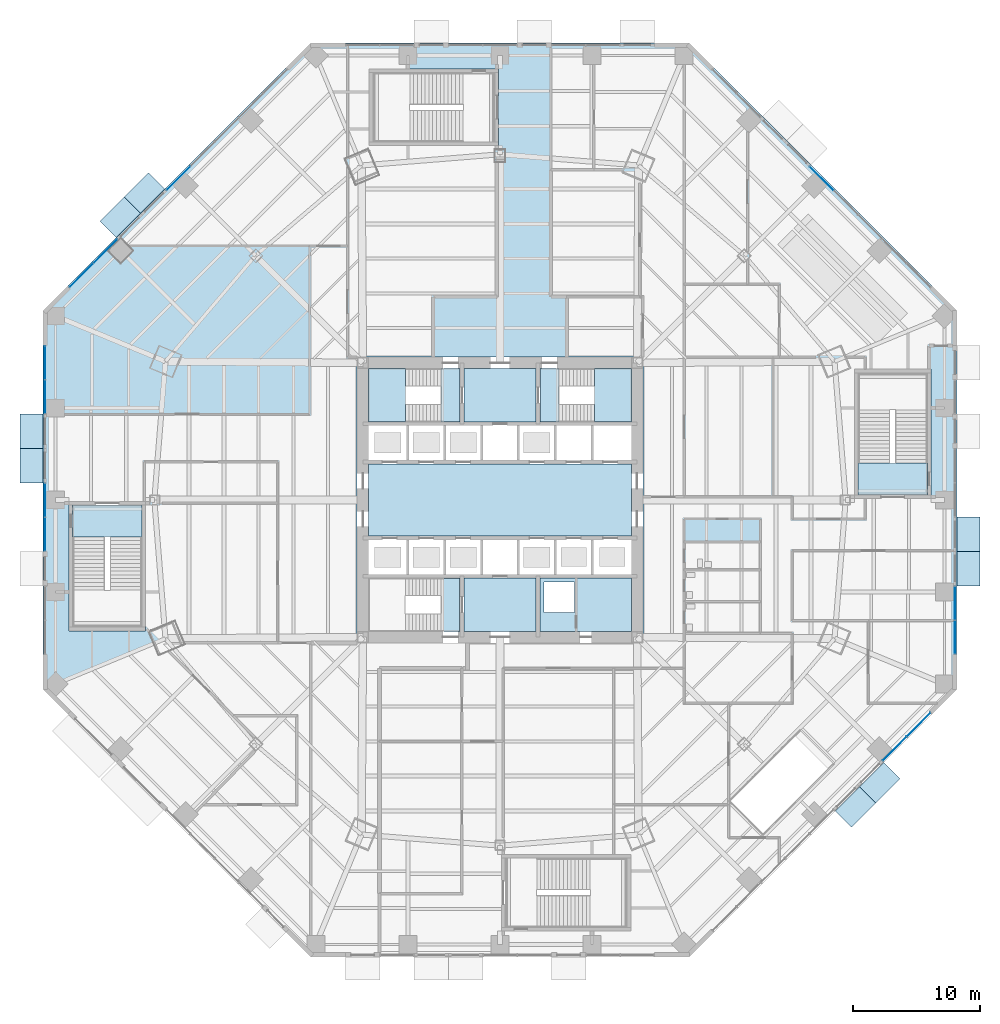
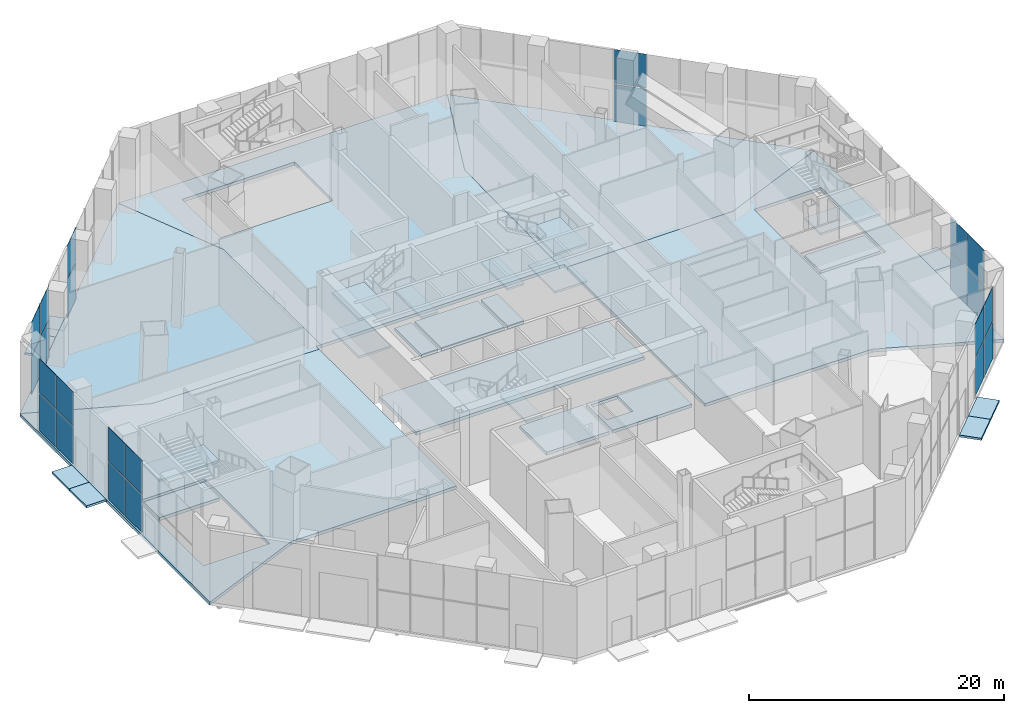
# One storey, part 17 of 35: 30 slabs, 24 plates, 12 elements without a shape of their own.
"""IFC4 building model written with IfcOpenShell, lengths in metres."""

from ifc_helpers import new_model, si_unit, direction, frame, origin, origin_2d, place, context, subcontext, project, spatial, polyline, rectangle, outline, extrude, source, transform, mapped, material, layer, layer_set, type_object, type_shapes, element, aggregate, save


model = new_model("IFC4")

# Units and contexts
model_context = context("Model", 3, precision=1e-05, world=origin(), true_north=direction((0.0, 1.0)))
body_context = subcontext(model_context, "Body", "Model", "MODEL_VIEW")
ifc_project = project(units=[si_unit("LENGTHUNIT", "METRE"), si_unit("AREAUNIT", "SQUARE_METRE"), si_unit("VOLUMEUNIT", "CUBIC_METRE"), si_unit("PLANEANGLEUNIT", "RADIAN"), si_unit("MASSUNIT", "GRAM", prefix="KILO")], contexts=[model_context])

# Site, building, storey
site_placement = place(None, origin())
site = spatial("IfcSite", under=ifc_project, at=site_placement, CompositionType="ELEMENT")
building_placement = place(site_placement, origin())
building = spatial("IfcBuilding", under=site, at=building_placement, Name="Mashrafa Tower", CompositionType="ELEMENT")
storey_placement = place(building_placement, origin())
storey = spatial("IfcBuildingStorey", under=building, at=storey_placement, Name="L00", CompositionType="ELEMENT", Elevation=0.0)

# Slabs
ifc_material_1 = material(Name="Concrete C35/45", Category="concrete")
ifc_layer_1 = layer(ifc_material_1, 0.169921875)
ifc_material_2 = material(Name="Limestone paving", Category="masonry")
ifc_layer_2 = layer(ifc_material_2, 0.030029296875)
ifc_layer_set_1 = layer_set([ifc_layer_1, ifc_layer_2], Name="Exterior entrance landing 200")
slab_type_1 = type_object("IfcSlabType", Name="Exterior entrance landing 200", PredefinedType="LANDING", material=ifc_layer_set_1)
slab_1_placement = place(storey_placement, frame((0.0, 0.0, -0.199951171875)))
element("IfcSlab", 1, at=slab_1_placement, inside=storey, type_object=slab_type_1, Name="Exterior landing Transit hall entrance east", PredefinedType="LANDING", context=body_context, shape_type="SweptSolid", body=[
    extrude(outline(polyline([(37.800048828125, -6.75927734375), (37.800048828125, -4.055419921875), (36.0, -4.055419921875), (36.0, -6.75927734375), (37.800048828125, -6.75927734375)])), origin(), (0.0, 0.0, 1.0), 0.199951171875),
])
slab_2_placement = place(storey_placement, frame((0.0, 0.0, -0.199951171875)))
element("IfcSlab", 2, at=slab_2_placement, inside=storey, type_object=slab_type_1, Name="Exterior landing Transit hall entrance east", PredefinedType="LANDING", context=body_context, shape_type="SweptSolid", body=[
    extrude(outline(polyline([(37.800048828125, -4.055419921875), (37.800048828125, -1.351806640625), (36.0, -1.351806640625), (36.0, -4.055419921875), (37.800048828125, -4.055419921875)])), origin(), (0.0, 0.0, 1.0), 0.199951171875),
])
slab_3_placement = place(storey_placement, frame((0.0, 0.0, -0.199951171875)))
element("IfcSlab", 3, at=slab_3_placement, inside=storey, type_object=slab_type_1, Name="Exterior landing Retail entrance north-west", PredefinedType="LANDING", context=body_context, shape_type="SweptSolid", body=[
    extrude(outline(polyline([(-27.6845703125, 25.772705078125), (-29.596435546875, 23.86083984375), (-28.323486328125, 22.588134765625), (-26.41162109375, 24.5), (-27.6845703125, 25.772705078125)])), origin(), (0.0, 0.0, 1.0), 0.199951171875),
])
slab_4_placement = place(storey_placement, frame((0.0, 0.0, -0.199951171875)))
element("IfcSlab", 4, at=slab_4_placement, inside=storey, type_object=slab_type_1, Name="Exterior landing Retail entrance north-west", PredefinedType="LANDING", context=body_context, shape_type="SweptSolid", body=[
    extrude(outline(polyline([(-29.596435546875, 23.86083984375), (-31.508056640625, 21.94921875), (-30.2353515625, 20.67626953125), (-28.323486328125, 22.588134765625), (-29.596435546875, 23.86083984375)])), origin(), (0.0, 0.0, 1.0), 0.199951171875),
])
slab_5_placement = place(storey_placement, frame((0.0, 0.0, -0.199951171875)))
element("IfcSlab", 5, at=slab_5_placement, inside=storey, type_object=slab_type_1, Name="Exterior landing Observation entrance west", PredefinedType="LANDING", context=body_context, shape_type="SweptSolid", body=[
    extrude(outline(polyline([(-37.800048828125, 6.75927734375), (-37.800048828125, 4.055419921875), (-36.0, 4.055419921875), (-36.0, 6.75927734375), (-37.800048828125, 6.75927734375)])), origin(), (0.0, 0.0, 1.0), 0.199951171875),
])
slab_6_placement = place(storey_placement, frame((0.0, 0.0, -0.199951171875)))
element("IfcSlab", 6, at=slab_6_placement, inside=storey, type_object=slab_type_1, Name="Exterior landing Observation entrance west", PredefinedType="LANDING", context=body_context, shape_type="SweptSolid", body=[
    extrude(outline(polyline([(-37.800048828125, 4.055419921875), (-37.800048828125, 1.351806640625), (-36.0, 1.351806640625), (-36.0, 4.055419921875), (-37.800048828125, 4.055419921875)])), origin(), (0.0, 0.0, 1.0), 0.199951171875),
])
slab_7_placement = place(storey_placement, frame((0.0, 0.0, -0.199951171875)))
element("IfcSlab", 7, at=slab_7_placement, inside=storey, type_object=slab_type_1, Name="Exterior landing Transit hall entrance south-east", PredefinedType="LANDING", context=body_context, shape_type="SweptSolid", body=[
    extrude(outline(polyline([(27.6845703125, -25.772705078125), (29.596435546875, -23.86083984375), (28.323486328125, -22.588134765625), (26.41162109375, -24.5), (27.6845703125, -25.772705078125)])), origin(), (0.0, 0.0, 1.0), 0.199951171875),
])
slab_8_placement = place(storey_placement, frame((0.0, 0.0, -0.199951171875)))
element("IfcSlab", 8, at=slab_8_placement, inside=storey, type_object=slab_type_1, Name="Exterior landing Transit hall entrance south-east", PredefinedType="LANDING", context=body_context, shape_type="SweptSolid", body=[
    extrude(outline(polyline([(29.596435546875, -23.86083984375), (31.508056640625, -21.94921875), (30.2353515625, -20.67626953125), (28.323486328125, -22.588134765625), (29.596435546875, -23.86083984375)])), origin(), (0.0, 0.0, 1.0), 0.199951171875),
])
ifc_material_3 = material(Name="Concrete C35/45", Category="concrete")
ifc_layer_3 = layer(ifc_material_3, 0.300048828125)
ifc_layer_set_2 = layer_set([ifc_layer_3], Name="Floor slab 300")
slab_type_2 = type_object("IfcSlabType", Name="Floor slab 300", PredefinedType="FLOOR", material=ifc_layer_set_2)
slab_9_placement = place(storey_placement, frame((0.0, 0.0, -0.300048828125)))
element("IfcSlab", 9, at=slab_9_placement, inside=storey, type_object=slab_type_2, Name="Floor slab L00 east bay", PredefinedType="FLOOR", context=body_context, shape_type="SweptSolid", body=[
    extrude(outline(polyline([(36.0, 14.91162109375), (36.0, -14.91162109375), (36.0, -14.91162109375), (35.0, -14.49755859375), (26.344970703125, -10.91259765625), (11.25, -10.80322265625), (11.25, 10.80322265625), (26.344970703125, 10.91259765625), (35.0, 14.49755859375), (36.0, 14.91162109375), (36.0, 14.91162109375)]), holes=[polyline([(33.949951171875, 0.10009765625), (33.949951171875, 10.300048828125), (27.89990234375, 10.300048828125), (27.89990234375, 0.10009765625), (33.949951171875, 0.10009765625)])]), origin(), (0.0, 0.0, 1.0), 0.300048828125),
])
slab_10_placement = place(storey_placement, frame((0.0, 0.0, -0.300048828125)))
element("IfcSlab", 10, at=slab_10_placement, inside=storey, type_object=slab_type_2, Name="Floor slab L00 north-east bay", PredefinedType="FLOOR", context=body_context, shape_type="SweptSolid", body=[
    extrude(outline(polyline([(36.0, 14.91162109375), (35.0, 14.49755859375), (26.344970703125, 10.91259765625), (11.25, 10.80322265625), (11.25, 11.25), (10.80322265625, 11.25), (10.91259765625, 26.344970703125), (14.49755859375, 35.0), (14.91162109375, 36.0), (36.0, 14.91162109375)])), origin(), (0.0, 0.0, 1.0), 0.300048828125),
])
slab_11_placement = place(storey_placement, frame((0.0, 0.0, -0.300048828125)))
element("IfcSlab", 11, at=slab_11_placement, inside=storey, type_object=slab_type_2, Name="Floor slab L00 north bay", PredefinedType="FLOOR", context=body_context, shape_type="SweptSolid", body=[
    extrude(outline(polyline([(-14.91162109375, 36.0), (14.91162109375, 36.0), (14.91162109375, 36.0), (14.49755859375, 35.0), (10.91259765625, 26.344970703125), (10.80322265625, 11.25), (-10.80322265625, 11.25), (-10.91259765625, 26.344970703125), (-14.49755859375, 35.0), (-14.91162109375, 36.0), (-14.91162109375, 36.0)]), holes=[polyline([(-0.10009765625, 27.89990234375), (-0.10009765625, 33.949951171875), (-10.300048828125, 33.949951171875), (-10.300048828125, 27.89990234375), (-0.10009765625, 27.89990234375)])]), origin(), (0.0, 0.0, 1.0), 0.300048828125),
])
slab_12_placement = place(storey_placement, frame((0.0, 0.0, -0.300048828125)))
element("IfcSlab", 12, at=slab_12_placement, inside=storey, type_object=slab_type_2, Name="Floor slab L00 north-west bay", PredefinedType="FLOOR", context=body_context, shape_type="SweptSolid", body=[
    extrude(outline(polyline([(-14.91162109375, 36.0), (-14.49755859375, 35.0), (-10.91259765625, 26.344970703125), (-10.80322265625, 11.25), (-11.25, 11.25), (-11.25, 10.80322265625), (-26.344970703125, 10.91259765625), (-35.0, 14.49755859375), (-36.0, 14.91162109375), (-14.91162109375, 36.0)])), origin(), (0.0, 0.0, 1.0), 0.300048828125),
])
slab_13_placement = place(storey_placement, frame((0.0, 0.0, -0.300048828125)))
element("IfcSlab", 13, at=slab_13_placement, inside=storey, type_object=slab_type_2, Name="Floor slab L00 west bay", PredefinedType="FLOOR", context=body_context, shape_type="SweptSolid", body=[
    extrude(outline(polyline([(-36.0, -14.91162109375), (-36.0, 14.91162109375), (-36.0, 14.91162109375), (-35.0, 14.49755859375), (-26.344970703125, 10.91259765625), (-11.25, 10.80322265625), (-11.25, -10.80322265625), (-26.344970703125, -10.91259765625), (-35.0, -14.49755859375), (-36.0, -14.91162109375), (-36.0, -14.91162109375)]), holes=[polyline([(-27.89990234375, -10.300048828125), (-27.89990234375, -0.10009765625), (-33.949951171875, -0.10009765625), (-33.949951171875, -10.300048828125), (-27.89990234375, -10.300048828125)])]), origin(), (0.0, 0.0, 1.0), 0.300048828125),
])
slab_14_placement = place(storey_placement, frame((0.0, 0.0, -0.300048828125)))
element("IfcSlab", 14, at=slab_14_placement, inside=storey, type_object=slab_type_2, Name="Core floor lift hall L00", PredefinedType="FLOOR", context=body_context, shape_type="SweptSolid", body=[
    extrude(outline(polyline([(-10.35009765625, 2.85009765625), (10.35009765625, 2.85009765625), (10.35009765625, -2.85009765625), (-10.35009765625, -2.85009765625), (-10.35009765625, 2.85009765625)])), origin(), (0.0, 0.0, 1.0), 0.300048828125),
])
slab_15_placement = place(storey_placement, frame((0.0, 0.0, -0.300048828125)))
element("IfcSlab", 15, at=slab_15_placement, inside=storey, type_object=slab_type_2, Name="Core floor riser and electrical band L00", PredefinedType="FLOOR", context=body_context, shape_type="SweptSolid", body=[
    extrude(outline(polyline([(10.35009765625, -6.14990234375), (10.35009765625, -10.35009765625), (3.14990234375, -10.35009765625), (3.14990234375, -6.14990234375), (10.35009765625, -6.14990234375)]), holes=[polyline([(3.449951171875, -8.85009765625), (5.85009765625, -8.85009765625), (5.85009765625, -6.449951171875), (3.449951171875, -6.449951171875), (3.449951171875, -8.85009765625)])]), origin(), (0.0, 0.0, 1.0), 0.300048828125),
])
slab_16_placement = place(storey_placement, frame((0.0, 0.0, -0.300048828125)))
element("IfcSlab", 16, at=slab_16_placement, inside=storey, type_object=slab_type_2, Name="Core floor fire-fighting lobby south L00", PredefinedType="FLOOR", context=body_context, shape_type="SweptSolid", body=[
    extrude(outline(polyline([(2.85009765625, -6.14990234375), (2.85009765625, -10.35009765625), (-2.85009765625, -10.35009765625), (-2.85009765625, -6.14990234375), (2.85009765625, -6.14990234375)])), origin(), (0.0, 0.0, 1.0), 0.300048828125),
])
slab_17_placement = place(storey_placement, frame((0.0, 0.0, -0.300048828125)))
element("IfcSlab", 17, at=slab_17_placement, inside=storey, type_object=slab_type_2, Name="Core floor fire-fighting lobby north L00", PredefinedType="FLOOR", context=body_context, shape_type="SweptSolid", body=[
    extrude(outline(polyline([(-2.85009765625, 10.35009765625), (2.85009765625, 10.35009765625), (2.85009765625, 6.14990234375), (-2.85009765625, 6.14990234375), (-2.85009765625, 10.35009765625)])), origin(), (0.0, 0.0, 1.0), 0.300048828125),
])

# Stair, slabs
ifc_material_4 = material(Name="Exit stair 1400")
stair_type_1 = type_object("IfcStairType", Name="Exit stair 1400", PredefinedType="HALF_TURN_STAIR", material=ifc_material_4)
stair_1_placement = place(storey_placement, origin())
stair_1 = element("IfcStair", 18, at=stair_1_placement, inside=storey, type_object=stair_type_1, Name="Stair S1 L00", PredefinedType="HALF_TURN_STAIR")
ifc_material_5 = material(Name="Concrete C32/40", Category="concrete")
ifc_layer_4 = layer(ifc_material_5, 0.199951171875)
ifc_layer_set_3 = layer_set([ifc_layer_4], Name="Stair landing 200")
slab_type_3 = type_object("IfcSlabType", Name="Stair landing 200", PredefinedType="LANDING", material=ifc_layer_set_3)
slab_18_placement = place(storey_placement, frame((0.0, 0.0, 1.60009765625)))
slab_18 = element("IfcSlab", 19, at=slab_18_placement, type_object=slab_type_3, Name="S1 landing 2", PredefinedType="LANDING", context=body_context, shape_type="SweptSolid", body=[
    extrude(outline(polyline([(-10.35009765625, 6.14990234375), (-7.43994140625, 6.14990234375), (-7.43994140625, 10.35009765625), (-10.35009765625, 10.35009765625), (-10.35009765625, 6.14990234375)])), origin(), (0.0, 0.0, 1.0), 0.199951171875),
])
slab_19_placement = place(storey_placement, frame((0.0, 0.0, 3.39990234375)))
slab_19 = element("IfcSlab", 20, at=slab_19_placement, type_object=slab_type_3, Name="S1 landing 3", PredefinedType="LANDING", context=body_context, shape_type="SweptSolid", body=[
    extrude(outline(polyline([(-4.659912109375, 6.14990234375), (-3.14990234375, 6.14990234375), (-3.14990234375, 10.35009765625), (-4.659912109375, 10.35009765625), (-4.659912109375, 6.14990234375)])), origin(), (0.0, 0.0, 1.0), 0.2001953125),
])
slab_20_placement = place(storey_placement, frame((0.0, 0.0, 5.199951171875)))
slab_20 = element("IfcSlab", 21, at=slab_20_placement, type_object=slab_type_3, Name="S1 landing 4", PredefinedType="LANDING", context=body_context, shape_type="SweptSolid", body=[
    extrude(outline(polyline([(-10.35009765625, 6.14990234375), (-7.43994140625, 6.14990234375), (-7.43994140625, 10.35009765625), (-10.35009765625, 10.35009765625), (-10.35009765625, 6.14990234375)])), origin(), (0.0, 0.0, 1.0), 0.199951171875),
])

stair_2_placement = place(storey_placement, origin())
stair_2 = element("IfcStair", 22, at=stair_2_placement, inside=storey, type_object=stair_type_1, Name="Stair S2 L00", PredefinedType="HALF_TURN_STAIR")
slab_21_placement = place(storey_placement, frame((0.0, 0.0, 1.60009765625)))
slab_21 = element("IfcSlab", 23, at=slab_21_placement, type_object=slab_type_3, Name="S2 landing 2", PredefinedType="LANDING", context=body_context, shape_type="SweptSolid", body=[
    extrude(outline(polyline([(7.43994140625, 6.14990234375), (10.35009765625, 6.14990234375), (10.35009765625, 10.35009765625), (7.43994140625, 10.35009765625), (7.43994140625, 6.14990234375)])), origin(), (0.0, 0.0, 1.0), 0.199951171875),
])
slab_22_placement = place(storey_placement, frame((0.0, 0.0, 3.39990234375)))
slab_22 = element("IfcSlab", 24, at=slab_22_placement, type_object=slab_type_3, Name="S2 landing 3", PredefinedType="LANDING", context=body_context, shape_type="SweptSolid", body=[
    extrude(outline(polyline([(3.14990234375, 6.14990234375), (4.659912109375, 6.14990234375), (4.659912109375, 10.35009765625), (3.14990234375, 10.35009765625), (3.14990234375, 6.14990234375)])), origin(), (0.0, 0.0, 1.0), 0.2001953125),
])
slab_23_placement = place(storey_placement, frame((0.0, 0.0, 5.199951171875)))
slab_23 = element("IfcSlab", 25, at=slab_23_placement, type_object=slab_type_3, Name="S2 landing 4", PredefinedType="LANDING", context=body_context, shape_type="SweptSolid", body=[
    extrude(outline(polyline([(7.43994140625, 6.14990234375), (10.35009765625, 6.14990234375), (10.35009765625, 10.35009765625), (7.43994140625, 10.35009765625), (7.43994140625, 6.14990234375)])), origin(), (0.0, 0.0, 1.0), 0.199951171875),
])

# Stair, slab
stair_3_placement = place(storey_placement, origin())
stair_3 = element("IfcStair", 26, at=stair_3_placement, inside=storey, type_object=stair_type_1, Name="Stair S3 L00", PredefinedType="HALF_TURN_STAIR")
slab_24_placement = place(storey_placement, frame((0.0, 0.0, 3.39990234375)))
slab_24 = element("IfcSlab", 27, at=slab_24_placement, type_object=slab_type_3, Name="S3 landing 3", PredefinedType="LANDING", context=body_context, shape_type="SweptSolid", body=[
    extrude(outline(polyline([(-4.659912109375, -10.35009765625), (-3.14990234375, -10.35009765625), (-3.14990234375, -6.14990234375), (-4.659912109375, -6.14990234375), (-4.659912109375, -10.35009765625)])), origin(), (0.0, 0.0, 1.0), 0.2001953125),
])
aggregate(stair_3, [slab_24])

ifc_material_6 = material(Name="Exit stair 2500")
stair_type_2 = type_object("IfcStairType", Name="Exit stair 2500", PredefinedType="HALF_TURN_STAIR", material=ifc_material_6)
stair_4_placement = place(storey_placement, origin())
stair_4 = element("IfcStair", 28, at=stair_4_placement, inside=storey, type_object=stair_type_2, Name="Stair P1 L00", PredefinedType="HALF_TURN_STAIR")
slab_25_placement = place(storey_placement, frame((0.0, 0.0, 3.39990234375)))
slab_25 = element("IfcSlab", 29, at=slab_25_placement, type_object=slab_type_3, Name="P1 landing 3", PredefinedType="LANDING", context=body_context, shape_type="SweptSolid", body=[
    extrude(outline(polyline([(33.64990234375, 0.39990234375), (33.64990234375, 2.909912109375), (28.199951171875, 2.909912109375), (28.199951171875, 0.39990234375), (33.64990234375, 0.39990234375)])), origin(), (0.0, 0.0, 1.0), 0.2001953125),
])

stair_5_placement = place(storey_placement, origin())
stair_5 = element("IfcStair", 30, at=stair_5_placement, inside=storey, type_object=stair_type_2, Name="Stair P3 L00", PredefinedType="HALF_TURN_STAIR")
slab_26_placement = place(storey_placement, frame((0.0, 0.0, 3.39990234375)))
slab_26 = element("IfcSlab", 31, at=slab_26_placement, type_object=slab_type_3, Name="P3 landing 3", PredefinedType="LANDING", context=body_context, shape_type="SweptSolid", body=[
    extrude(outline(polyline([(-28.199951171875, -2.909912109375), (-28.199951171875, -0.39990234375), (-33.64990234375, -0.39990234375), (-33.64990234375, -2.909912109375), (-28.199951171875, -2.909912109375)])), origin(), (0.0, 0.0, 1.0), 0.2001953125),
])

# Slab
ifc_material_7 = material(Name="Concrete C32/40", Category="concrete")
ifc_layer_5 = layer(ifc_material_7, 0.300048828125)
ifc_layer_set_4 = layer_set([ifc_layer_5], Name="Stair landing 300")
slab_type_4 = type_object("IfcSlabType", Name="Stair landing 300", PredefinedType="LANDING", material=ifc_layer_set_4)
slab_27_placement = place(storey_placement, frame((0.0, 0.0, -0.300048828125)))
slab_27 = element("IfcSlab", 32, at=slab_27_placement, type_object=slab_type_4, Name="S1 landing 1", PredefinedType="LANDING", context=body_context, shape_type="SweptSolid", body=[
    extrude(outline(polyline([(-4.659912109375, 6.14990234375), (-3.14990234375, 6.14990234375), (-3.14990234375, 10.35009765625), (-4.659912109375, 10.35009765625), (-4.659912109375, 6.14990234375)])), origin(), (0.0, 0.0, 1.0), 0.300048828125),
])

aggregate(stair_1, [slab_27, slab_18, slab_19, slab_20])

slab_28_placement = place(storey_placement, frame((0.0, 0.0, -0.300048828125)))
slab_28 = element("IfcSlab", 33, at=slab_28_placement, type_object=slab_type_4, Name="S2 landing 1", PredefinedType="LANDING", context=body_context, shape_type="SweptSolid", body=[
    extrude(outline(polyline([(3.14990234375, 6.14990234375), (4.659912109375, 6.14990234375), (4.659912109375, 10.35009765625), (3.14990234375, 10.35009765625), (3.14990234375, 6.14990234375)])), origin(), (0.0, 0.0, 1.0), 0.300048828125),
])

aggregate(stair_2, [slab_28, slab_21, slab_22, slab_23])

slab_29_placement = place(storey_placement, frame((0.0, 0.0, -0.300048828125)))
slab_29 = element("IfcSlab", 34, at=slab_29_placement, type_object=slab_type_4, Name="P1 landing 1", PredefinedType="LANDING", context=body_context, shape_type="SweptSolid", body=[
    extrude(outline(polyline([(33.64990234375, 0.39990234375), (33.64990234375, 2.909912109375), (28.199951171875, 2.909912109375), (28.199951171875, 0.39990234375), (33.64990234375, 0.39990234375)])), origin(), (0.0, 0.0, 1.0), 0.300048828125),
])

aggregate(stair_4, [slab_29, slab_25])

slab_30_placement = place(storey_placement, frame((0.0, 0.0, -0.300048828125)))
slab_30 = element("IfcSlab", 35, at=slab_30_placement, type_object=slab_type_4, Name="P3 landing 1", PredefinedType="LANDING", context=body_context, shape_type="SweptSolid", body=[
    extrude(outline(polyline([(-28.199951171875, -2.909912109375), (-28.199951171875, -0.39990234375), (-33.64990234375, -0.39990234375), (-33.64990234375, -2.909912109375), (-28.199951171875, -2.909912109375)])), origin(), (0.0, 0.0, 1.0), 0.300048828125),
])

aggregate(stair_5, [slab_30, slab_26])

# Curtain wall, plates
ifc_material_8 = material(Name="Unitised aluminium curtain wall", Category="aluminium")
curtain_wall_type = type_object("IfcCurtainWallType", Name="Podium storefront CW-P 150 deep", PredefinedType="NOTDEFINED", material=ifc_material_8)
curtain_wall_1_placement = place(storey_placement, origin())
curtain_wall_1 = element("IfcCurtainWall", 36, at=curtain_wall_1_placement, inside=storey, type_object=curtain_wall_type, Name="Podium storefront L00 east part 1", PredefinedType="NOTDEFINED")
ifc_material_9 = material(Name="Laminated storefront glazing", Category="glass")
ifc_layer_6 = layer(ifc_material_9, 0.028076171875)
ifc_layer_set_5 = layer_set([ifc_layer_6], Name="Vision panel CW-P 28")
plate_type_1 = type_object("IfcPlateType", Name="Vision panel CW-P 28", PredefinedType="CURTAIN_PANEL", material=ifc_layer_set_5)
shared_shape_1 = source(origin(), body_context, "Body", "SweptSolid", [
    extrude(rectangle(XDim=2.606201171875, YDim=0.028076171875, at=origin_2d()), origin(), (0.0, 0.0, 1.0), 3.550048828125),
])
type_shapes(plate_type_1, [shared_shape_1])
plate_1_placement = place(storey_placement, frame((35.824951171875, -10.798583984375, 0.0), z_axis=(0.0, 0.0, 1.0), x_axis=(0.0, 1.0, 0.0)))
plate_1 = element("IfcPlate", 37, at=plate_1_placement, type_object=plate_type_1, Name="CW-P vision panel 1", PredefinedType="CURTAIN_PANEL", context=body_context, shape_type="MappedRepresentation", body=[
    mapped(shared_shape_1, transform((0.0, 0.0, 0.0))),
])
plate_2_placement = place(storey_placement, frame((35.824951171875, -8.127197265625, 0.0), z_axis=(0.0, 0.0, 1.0), x_axis=(0.0, 1.0, 0.0)))
plate_2 = element("IfcPlate", 38, at=plate_2_placement, type_object=plate_type_1, Name="CW-P vision panel 2", PredefinedType="CURTAIN_PANEL", context=body_context, shape_type="MappedRepresentation", body=[
    mapped(shared_shape_1, transform((0.0, 0.0, 0.0))),
])

# Curtain wall, plate
curtain_wall_2_placement = place(storey_placement, origin())
curtain_wall_2 = element("IfcCurtainWall", 39, at=curtain_wall_2_placement, inside=storey, type_object=curtain_wall_type, Name="Podium storefront L00 north-east part 1", PredefinedType="NOTDEFINED")
plate_3_placement = place(storey_placement, frame((25.343505859375, 25.320556640625, 0.0), z_axis=(0.0, 0.0, 1.0), x_axis=(-0.707106781187, 0.707106781187, 0.0)))
plate_3 = element("IfcPlate", 40, at=plate_3_placement, type_object=plate_type_1, Name="CW-P vision panel 5", PredefinedType="CURTAIN_PANEL", context=body_context, shape_type="MappedRepresentation", body=[
    mapped(shared_shape_1, transform((0.0, 0.0, 0.0))),
])

curtain_wall_3_placement = place(storey_placement, origin())
curtain_wall_3 = element("IfcCurtainWall", 41, at=curtain_wall_3_placement, inside=storey, type_object=curtain_wall_type, Name="Podium storefront L00 north-west part 1", PredefinedType="NOTDEFINED")
plate_4_placement = place(storey_placement, frame((-25.320556640625, 25.343505859375, 0.0), z_axis=(0.0, 0.0, 1.0), x_axis=(-0.707106781187, -0.707106781187, 0.0)))
plate_4 = element("IfcPlate", 42, at=plate_4_placement, type_object=plate_type_1, Name="CW-P vision panel 5", PredefinedType="CURTAIN_PANEL", context=body_context, shape_type="MappedRepresentation", body=[
    mapped(shared_shape_1, transform((0.0, 0.0, 0.0))),
])

# Curtain wall, plates
curtain_wall_4_placement = place(storey_placement, origin())
curtain_wall_4 = element("IfcCurtainWall", 43, at=curtain_wall_4_placement, inside=storey, type_object=curtain_wall_type, Name="Podium storefront L00 north-west part 2", PredefinedType="NOTDEFINED")
plate_5_placement = place(storey_placement, frame((-31.078857421875, 19.585205078125, 0.0), z_axis=(0.0, 0.0, 1.0), x_axis=(-0.707106781187, -0.707106781187, 0.0)))
plate_5 = element("IfcPlate", 44, at=plate_5_placement, type_object=plate_type_1, Name="CW-P vision panel 1", PredefinedType="CURTAIN_PANEL", context=body_context, shape_type="MappedRepresentation", body=[
    mapped(shared_shape_1, transform((0.0, 0.0, 0.0))),
])
plate_6_placement = place(storey_placement, frame((-32.9677734375, 17.696533203125, 0.0), z_axis=(0.0, 0.0, 1.0), x_axis=(-0.707106781187, -0.707106781187, 0.0)))
plate_6 = element("IfcPlate", 45, at=plate_6_placement, type_object=plate_type_1, Name="CW-P vision panel 2", PredefinedType="CURTAIN_PANEL", context=body_context, shape_type="MappedRepresentation", body=[
    mapped(shared_shape_1, transform((0.0, 0.0, 0.0))),
])

curtain_wall_5_placement = place(storey_placement, origin())
curtain_wall_5 = element("IfcCurtainWall", 46, at=curtain_wall_5_placement, inside=storey, type_object=curtain_wall_type, Name="Podium storefront L00 west part 1", PredefinedType="NOTDEFINED")
plate_7_placement = place(storey_placement, frame((-35.824951171875, 10.798583984375, 0.0), z_axis=(0.0, 0.0, 1.0), x_axis=(0.0, -1.0, 0.0)))
plate_7 = element("IfcPlate", 47, at=plate_7_placement, type_object=plate_type_1, Name="CW-P vision panel 1", PredefinedType="CURTAIN_PANEL", context=body_context, shape_type="MappedRepresentation", body=[
    mapped(shared_shape_1, transform((0.0, 0.0, 0.0))),
])
plate_8_placement = place(storey_placement, frame((-35.824951171875, 8.127197265625, 0.0), z_axis=(0.0, 0.0, 1.0), x_axis=(0.0, -1.0, 0.0)))
plate_8 = element("IfcPlate", 48, at=plate_8_placement, type_object=plate_type_1, Name="CW-P vision panel 2", PredefinedType="CURTAIN_PANEL", context=body_context, shape_type="MappedRepresentation", body=[
    mapped(shared_shape_1, transform((0.0, 0.0, 0.0))),
])

curtain_wall_6_placement = place(storey_placement, origin())
curtain_wall_6 = element("IfcCurtainWall", 49, at=curtain_wall_6_placement, inside=storey, type_object=curtain_wall_type, Name="Podium storefront L00 west part 2", PredefinedType="NOTDEFINED")
plate_9_placement = place(storey_placement, frame((-35.824951171875, -0.016357421875, 0.0), z_axis=(0.0, 0.0, 1.0), x_axis=(0.0, -1.0, 0.0)))
plate_9 = element("IfcPlate", 50, at=plate_9_placement, type_object=plate_type_1, Name="CW-P vision panel 1", PredefinedType="CURTAIN_PANEL", context=body_context, shape_type="MappedRepresentation", body=[
    mapped(shared_shape_1, transform((0.0, 0.0, 0.0))),
])
plate_10_placement = place(storey_placement, frame((-35.824951171875, -2.6875, 0.0), z_axis=(0.0, 0.0, 1.0), x_axis=(0.0, -1.0, 0.0)))
plate_10 = element("IfcPlate", 51, at=plate_10_placement, type_object=plate_type_1, Name="CW-P vision panel 2", PredefinedType="CURTAIN_PANEL", context=body_context, shape_type="MappedRepresentation", body=[
    mapped(shared_shape_1, transform((0.0, 0.0, 0.0))),
])

curtain_wall_7_placement = place(storey_placement, origin())
curtain_wall_7 = element("IfcCurtainWall", 52, at=curtain_wall_7_placement, inside=storey, type_object=curtain_wall_type, Name="Podium storefront L00 south-east part 2", PredefinedType="NOTDEFINED")
plate_11_placement = place(storey_placement, frame((31.078857421875, -19.585205078125, 0.0), z_axis=(0.0, 0.0, 1.0), x_axis=(0.707106781187, 0.707106781187, 0.0)))
plate_11 = element("IfcPlate", 53, at=plate_11_placement, type_object=plate_type_1, Name="CW-P vision panel 1", PredefinedType="CURTAIN_PANEL", context=body_context, shape_type="MappedRepresentation", body=[
    mapped(shared_shape_1, transform((0.0, 0.0, 0.0))),
])
plate_12_placement = place(storey_placement, frame((32.9677734375, -17.696533203125, 0.0), z_axis=(0.0, 0.0, 1.0), x_axis=(0.707106781187, 0.707106781187, 0.0)))
plate_12 = element("IfcPlate", 54, at=plate_12_placement, type_object=plate_type_1, Name="CW-P vision panel 2", PredefinedType="CURTAIN_PANEL", context=body_context, shape_type="MappedRepresentation", body=[
    mapped(shared_shape_1, transform((0.0, 0.0, 0.0))),
])

# Plate
ifc_material_10 = material(Name="Laminated transom glazing", Category="glass")
ifc_layer_7 = layer(ifc_material_10, 0.02392578125)
ifc_layer_set_6 = layer_set([ifc_layer_7], Name="Transom light panel CW-P 24")
plate_type_2 = type_object("IfcPlateType", Name="Transom light panel CW-P 24", PredefinedType="CURTAIN_PANEL", material=ifc_layer_set_6)
shared_shape_2 = source(origin(), body_context, "Body", "SweptSolid", [
    extrude(rectangle(XDim=2.606201171875, YDim=0.02392578125, at=origin_2d()), origin(), (0.0, 0.0, 1.0), 3.25),
])
type_shapes(plate_type_2, [shared_shape_2])
plate_13_placement = place(storey_placement, frame((35.824951171875, -10.798583984375, 3.64990234375), z_axis=(0.0, 0.0, 1.0), x_axis=(0.0, 1.0, 0.0)))
plate_13 = element("IfcPlate", 55, at=plate_13_placement, type_object=plate_type_2, Name="CW-P transom light panel 1", PredefinedType="CURTAIN_PANEL", context=body_context, shape_type="MappedRepresentation", body=[
    mapped(shared_shape_2, transform((0.0, 0.0, 0.0))),
])

plate_14_placement = place(storey_placement, frame((35.824951171875, -8.127197265625, 3.64990234375), z_axis=(0.0, 0.0, 1.0), x_axis=(0.0, 1.0, 0.0)))
plate_14 = element("IfcPlate", 56, at=plate_14_placement, type_object=plate_type_2, Name="CW-P transom light panel 2", PredefinedType="CURTAIN_PANEL", context=body_context, shape_type="MappedRepresentation", body=[
    mapped(shared_shape_2, transform((0.0, 0.0, 0.0))),
])

aggregate(curtain_wall_1, [plate_1, plate_13, plate_2, plate_14])

plate_15_placement = place(storey_placement, frame((25.343505859375, 25.320556640625, 3.64990234375), z_axis=(0.0, 0.0, 1.0), x_axis=(-0.707106781187, 0.707106781187, 0.0)))
plate_15 = element("IfcPlate", 57, at=plate_15_placement, type_object=plate_type_2, Name="CW-P transom light panel 5", PredefinedType="CURTAIN_PANEL", context=body_context, shape_type="MappedRepresentation", body=[
    mapped(shared_shape_2, transform((0.0, 0.0, 0.0))),
])

aggregate(curtain_wall_2, [plate_3, plate_15])

plate_16_placement = place(storey_placement, frame((-25.320556640625, 25.343505859375, 3.64990234375), z_axis=(0.0, 0.0, 1.0), x_axis=(-0.707106781187, -0.707106781187, 0.0)))
plate_16 = element("IfcPlate", 58, at=plate_16_placement, type_object=plate_type_2, Name="CW-P transom light panel 5", PredefinedType="CURTAIN_PANEL", context=body_context, shape_type="MappedRepresentation", body=[
    mapped(shared_shape_2, transform((0.0, 0.0, 0.0))),
])

aggregate(curtain_wall_3, [plate_4, plate_16])

plate_17_placement = place(storey_placement, frame((-31.078857421875, 19.585205078125, 3.64990234375), z_axis=(0.0, 0.0, 1.0), x_axis=(-0.707106781187, -0.707106781187, 0.0)))
plate_17 = element("IfcPlate", 59, at=plate_17_placement, type_object=plate_type_2, Name="CW-P transom light panel 1", PredefinedType="CURTAIN_PANEL", context=body_context, shape_type="MappedRepresentation", body=[
    mapped(shared_shape_2, transform((0.0, 0.0, 0.0))),
])

plate_18_placement = place(storey_placement, frame((-32.9677734375, 17.696533203125, 3.64990234375), z_axis=(0.0, 0.0, 1.0), x_axis=(-0.707106781187, -0.707106781187, 0.0)))
plate_18 = element("IfcPlate", 60, at=plate_18_placement, type_object=plate_type_2, Name="CW-P transom light panel 2", PredefinedType="CURTAIN_PANEL", context=body_context, shape_type="MappedRepresentation", body=[
    mapped(shared_shape_2, transform((0.0, 0.0, 0.0))),
])

aggregate(curtain_wall_4, [plate_5, plate_17, plate_6, plate_18])

plate_19_placement = place(storey_placement, frame((-35.824951171875, 10.798583984375, 3.64990234375), z_axis=(0.0, 0.0, 1.0), x_axis=(0.0, -1.0, 0.0)))
plate_19 = element("IfcPlate", 61, at=plate_19_placement, type_object=plate_type_2, Name="CW-P transom light panel 1", PredefinedType="CURTAIN_PANEL", context=body_context, shape_type="MappedRepresentation", body=[
    mapped(shared_shape_2, transform((0.0, 0.0, 0.0))),
])

plate_20_placement = place(storey_placement, frame((-35.824951171875, 8.127197265625, 3.64990234375), z_axis=(0.0, 0.0, 1.0), x_axis=(0.0, -1.0, 0.0)))
plate_20 = element("IfcPlate", 62, at=plate_20_placement, type_object=plate_type_2, Name="CW-P transom light panel 2", PredefinedType="CURTAIN_PANEL", context=body_context, shape_type="MappedRepresentation", body=[
    mapped(shared_shape_2, transform((0.0, 0.0, 0.0))),
])

aggregate(curtain_wall_5, [plate_7, plate_19, plate_8, plate_20])

plate_21_placement = place(storey_placement, frame((-35.824951171875, -0.016357421875, 3.64990234375), z_axis=(0.0, 0.0, 1.0), x_axis=(0.0, -1.0, 0.0)))
plate_21 = element("IfcPlate", 63, at=plate_21_placement, type_object=plate_type_2, Name="CW-P transom light panel 1", PredefinedType="CURTAIN_PANEL", context=body_context, shape_type="MappedRepresentation", body=[
    mapped(shared_shape_2, transform((0.0, 0.0, 0.0))),
])

plate_22_placement = place(storey_placement, frame((-35.824951171875, -2.6875, 3.64990234375), z_axis=(0.0, 0.0, 1.0), x_axis=(0.0, -1.0, 0.0)))
plate_22 = element("IfcPlate", 64, at=plate_22_placement, type_object=plate_type_2, Name="CW-P transom light panel 2", PredefinedType="CURTAIN_PANEL", context=body_context, shape_type="MappedRepresentation", body=[
    mapped(shared_shape_2, transform((0.0, 0.0, 0.0))),
])

aggregate(curtain_wall_6, [plate_9, plate_21, plate_10, plate_22])

plate_23_placement = place(storey_placement, frame((31.078857421875, -19.585205078125, 3.64990234375), z_axis=(0.0, 0.0, 1.0), x_axis=(0.707106781187, 0.707106781187, 0.0)))
plate_23 = element("IfcPlate", 65, at=plate_23_placement, type_object=plate_type_2, Name="CW-P transom light panel 1", PredefinedType="CURTAIN_PANEL", context=body_context, shape_type="MappedRepresentation", body=[
    mapped(shared_shape_2, transform((0.0, 0.0, 0.0))),
])

plate_24_placement = place(storey_placement, frame((32.9677734375, -17.696533203125, 3.64990234375), z_axis=(0.0, 0.0, 1.0), x_axis=(0.707106781187, 0.707106781187, 0.0)))
plate_24 = element("IfcPlate", 66, at=plate_24_placement, type_object=plate_type_2, Name="CW-P transom light panel 2", PredefinedType="CURTAIN_PANEL", context=body_context, shape_type="MappedRepresentation", body=[
    mapped(shared_shape_2, transform((0.0, 0.0, 0.0))),
])

aggregate(curtain_wall_7, [plate_11, plate_23, plate_12, plate_24])

save(model, "model.ifc")
